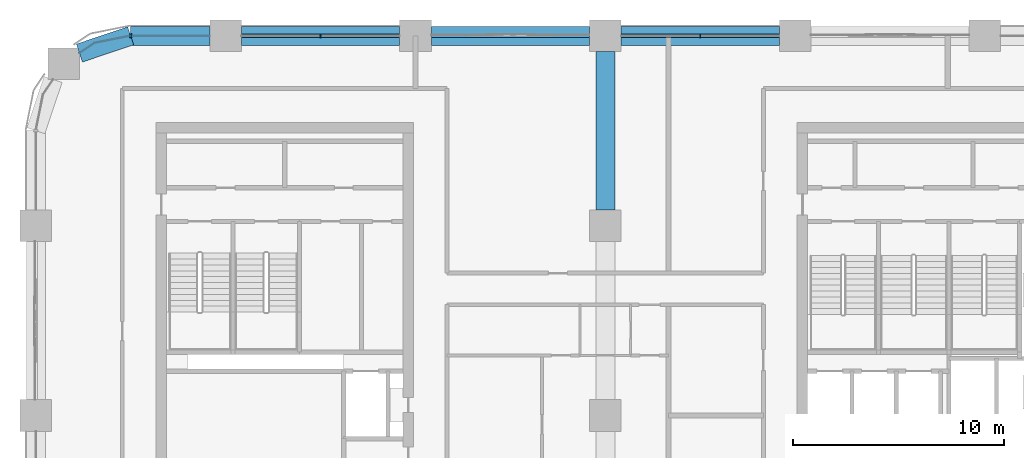
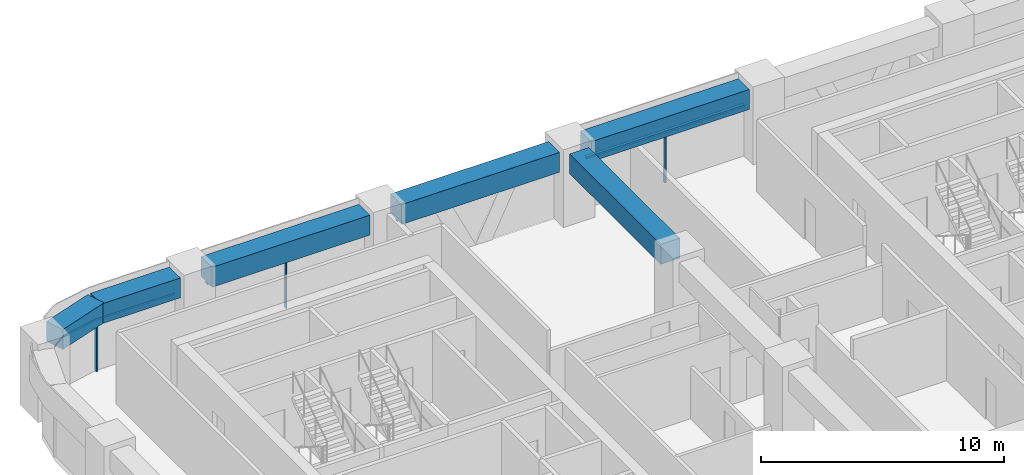
# One storey, part 4 of 13: 7 members, 6 beams, 4 elements without a shape of their own.
"""IFC4 building model written with IfcOpenShell, lengths in metres."""

from ifc_helpers import new_model, si_unit, direction, frame, origin, origin_2d, place, context, subcontext, project, spatial, polyline, rectangle, outline, extrude, material, material_profile, profile_set, type_object, element, aggregate, save


model = new_model("IFC4")

# Units and contexts
model_context = context("Model", 3, precision=1e-05, world=origin(), true_north=direction((0.0, 1.0)))
body_context = subcontext(model_context, "Body", "Model", "MODEL_VIEW")
ifc_project = project(units=[si_unit("LENGTHUNIT", "METRE"), si_unit("AREAUNIT", "SQUARE_METRE"), si_unit("VOLUMEUNIT", "CUBIC_METRE"), si_unit("PLANEANGLEUNIT", "RADIAN"), si_unit("MASSUNIT", "GRAM", prefix="KILO")], contexts=[model_context])

# Site, building, storey
site_placement = place(None, origin())
site = spatial("IfcSite", under=ifc_project, at=site_placement, CompositionType="ELEMENT")
building_placement = place(site_placement, origin())
building = spatial("IfcBuilding", under=site, at=building_placement, Name="Tessera Arch", CompositionType="ELEMENT")
storey_placement = place(building_placement, frame((0.0, 0.0, 158.300048828125)))
storey = spatial("IfcBuildingStorey", under=building, at=storey_placement, Name="L37", CompositionType="ELEMENT", Elevation=158.300048828125)

# Curtain wall, member
ifc_material_1 = material(Name="CW1 curtain wall")
curtain_wall_type_1 = type_object("IfcCurtainWallType", Name="CW1 curtain wall", PredefinedType="NOTDEFINED", material=ifc_material_1)
curtain_wall_1_placement = place(storey_placement, origin())
curtain_wall_1 = element("IfcCurtainWall", 1, at=curtain_wall_1_placement, inside=storey, type_object=curtain_wall_type_1, Name="CW1 curtain wall N54.0/2 L37", PredefinedType="NOTDEFINED")
ifc_material_2 = material(Name="Anodised aluminium pale metal", Category="aluminium")
ifc_material_profile_1 = material_profile(ifc_material_2, rectangle(XDim=0.159912109375, YDim=0.06005859375, at=origin_2d()), Name="AL 60x160")
ifc_profile_set_1 = profile_set([ifc_material_profile_1], Name="Anodised aluminium pale metal")
member_type_1 = type_object("IfcMemberType", Name="CW1 mullion", PredefinedType="MULLION", material=ifc_profile_set_1)
member_1_placement = place(storey_placement, frame((31.5, 54.0, 0.0), z_axis=(0.0, 0.0, 1.0), x_axis=(0.0, -1.0, 0.0)))
member_1 = element("IfcMember", 2, at=member_1_placement, type_object=member_type_1, Name="CW1 mullion N54.0/2 1", PredefinedType="MULLION", context=body_context, shape_type="SweptSolid", body=[
    extrude(rectangle(XDim=0.159912109375, YDim=0.06005859375, at=origin_2d()), origin(), (0.0, 0.0, 1.0), 2.5),
])

curtain_wall_2_placement = place(storey_placement, origin())
curtain_wall_2 = element("IfcCurtainWall", 3, at=curtain_wall_2_placement, inside=storey, type_object=curtain_wall_type_1, Name="CW1 curtain wall N54.0/4 L37", PredefinedType="NOTDEFINED")
member_2_placement = place(storey_placement, frame((13.5, 54.0, 0.0), z_axis=(0.0, 0.0, 1.0), x_axis=(0.0, -1.0, 0.0)))
member_2 = element("IfcMember", 4, at=member_2_placement, type_object=member_type_1, Name="CW1 mullion N54.0/4 1", PredefinedType="MULLION", context=body_context, shape_type="SweptSolid", body=[
    extrude(rectangle(XDim=0.159912109375, YDim=0.06005859375, at=origin_2d()), origin(), (0.0, 0.0, 1.0), 2.5),
])

# Member
ifc_material_3 = material(Name="Anodised aluminium pale metal", Category="aluminium")
ifc_material_profile_2 = material_profile(ifc_material_3, rectangle(XDim=0.159912109375, YDim=0.10009765625, at=origin_2d()), Name="AL 160x100")
ifc_profile_set_2 = profile_set([ifc_material_profile_2], Name="Anodised aluminium pale metal")
member_type_2 = type_object("IfcMemberType", Name="CW1 transom", PredefinedType="USERDEFINED", material=ifc_profile_set_2)
member_3_placement = place(storey_placement, frame((35.25, 54.0, 2.550048828125), z_axis=(-1.0, 0.0, 0.0), x_axis=(0.0, -1.0, 0.0)))
member_3 = element("IfcMember", 5, at=member_3_placement, type_object=member_type_2, Name="CW1 transom N54.0/2 1.1", ObjectType="TRANSOM", PredefinedType="USERDEFINED", context=body_context, shape_type="SweptSolid", body=[
    extrude(rectangle(XDim=0.159912109375, YDim=0.10009765625, at=origin_2d()), origin(), (0.0, 0.0, 1.0), 7.5),
])

aggregate(curtain_wall_1, [member_1, member_3])

member_4_placement = place(storey_placement, frame((17.25, 54.0, 2.550048828125), z_axis=(-1.0, 0.0, 0.0), x_axis=(0.0, -1.0, 0.0)))
member_4 = element("IfcMember", 6, at=member_4_placement, type_object=member_type_2, Name="CW1 transom N54.0/4 1.1", ObjectType="TRANSOM", PredefinedType="USERDEFINED", context=body_context, shape_type="SweptSolid", body=[
    extrude(rectangle(XDim=0.159912109375, YDim=0.10009765625, at=origin_2d()), origin(), (0.0, 0.0, 1.0), 7.5),
])

aggregate(curtain_wall_2, [member_2, member_4])

# Curtain wall, members
ifc_material_4 = material(Name="CW2 curtain wall")
curtain_wall_type_2 = type_object("IfcCurtainWallType", Name="CW2 curtain wall", PredefinedType="NOTDEFINED", material=ifc_material_4)
curtain_wall_3_placement = place(storey_placement, origin())
curtain_wall_3 = element("IfcCurtainWall", 7, at=curtain_wall_3_placement, inside=storey, type_object=curtain_wall_type_2, Name="CW2 curtain wall N54.0/5 L37", PredefinedType="NOTDEFINED")
ifc_material_5 = material(Name="Anodised aluminium pale metal", Category="aluminium")
ifc_material_profile_3 = material_profile(ifc_material_5, rectangle(XDim=0.199951171875, YDim=0.080078125, at=origin_2d()), Name="AL 80x200")
ifc_profile_set_3 = profile_set([ifc_material_profile_3], Name="Anodised aluminium pale metal")
member_type_3 = type_object("IfcMemberType", Name="CW2 mullion", PredefinedType="MULLION", material=ifc_profile_set_3)
member_5_placement = place(storey_placement, frame((4.5, 54.0, 0.0), z_axis=(0.0, 0.0, 1.0), x_axis=(0.0, -1.0, 0.0)))
member_5 = element("IfcMember", 8, at=member_5_placement, type_object=member_type_3, Name="CW2 mullion N54.0/5 1", PredefinedType="MULLION", context=body_context, shape_type="SweptSolid", body=[
    extrude(rectangle(XDim=0.199951171875, YDim=0.080078125, at=origin_2d()), origin(), (0.0, 0.0, 1.0), 2.5),
])
ifc_material_6 = material(Name="Anodised aluminium pale metal", Category="aluminium")
ifc_material_profile_4 = material_profile(ifc_material_6, rectangle(XDim=0.199951171875, YDim=0.10009765625, at=origin_2d()), Name="AL 200x100")
ifc_profile_set_4 = profile_set([ifc_material_profile_4], Name="Anodised aluminium pale metal")
member_type_4 = type_object("IfcMemberType", Name="CW2 transom", PredefinedType="USERDEFINED", material=ifc_profile_set_4)
member_6_placement = place(storey_placement, frame((0.0, 0.0, 2.5)))
member_6 = element("IfcMember", 9, at=member_6_placement, type_object=member_type_4, Name="CW2 transom N54.0/5 1", ObjectType="TRANSOM", PredefinedType="USERDEFINED", context=body_context, shape_type="SweptSolid", body=[
    extrude(outline(polyline([(4.5009765625, 53.989990234375), (8.25, 53.989990234375), (8.25, 54.010009765625), (4.4990234375, 54.010009765625), (2.77392578125, 53.6669921875), (2.0625, 53.19140625), (2.073486328125, 53.1748046875), (2.78173828125, 53.648193359375), (4.5009765625, 53.989990234375)])), origin(), (0.0, 0.0, 1.0), 0.099853515625),
])
aggregate(curtain_wall_3, [member_5, member_6])

# Curtain wall, member
ifc_material_7 = material(Name="CW3 curtain wall")
curtain_wall_type_3 = type_object("IfcCurtainWallType", Name="CW3 curtain wall", PredefinedType="NOTDEFINED", material=ifc_material_7)
curtain_wall_4_placement = place(storey_placement, origin())
curtain_wall_4 = element("IfcCurtainWall", 10, at=curtain_wall_4_placement, inside=storey, type_object=curtain_wall_type_3, Name="CW3 curtain wall N54.0/3 L37", PredefinedType="NOTDEFINED")
ifc_material_8 = material(Name="Anodised aluminium pale metal", Category="aluminium")
ifc_material_profile_5 = material_profile(ifc_material_8, rectangle(XDim=0.139892578125, YDim=0.10009765625, at=origin_2d()), Name="AL 140x100")
ifc_profile_set_5 = profile_set([ifc_material_profile_5], Name="Anodised aluminium pale metal")
member_type_5 = type_object("IfcMemberType", Name="CW3 transom", PredefinedType="USERDEFINED", material=ifc_profile_set_5)
member_7_placement = place(storey_placement, frame((26.25, 54.0, 2.550048828125), z_axis=(-1.0, 0.0, 0.0), x_axis=(0.0, -1.0, 0.0)))
member_7 = element("IfcMember", 11, at=member_7_placement, type_object=member_type_5, Name="CW3 transom N54.0/3 1.1", ObjectType="TRANSOM", PredefinedType="USERDEFINED", context=body_context, shape_type="SweptSolid", body=[
    extrude(rectangle(XDim=0.139892578125, YDim=0.10009765625, at=origin_2d()), origin(), (0.0, 0.0, 1.0), 7.5),
])
aggregate(curtain_wall_4, [member_7])

# Beams
ifc_material_9 = material(Name="Concrete C70/85", Category="concrete")
ifc_material_profile_6 = material_profile(ifc_material_9, rectangle(XDim=0.89990234375, YDim=1.0, at=origin_2d()), Name="RC spandrel beam 900 x 1000 Concrete C70/85")
ifc_profile_set_6 = profile_set([ifc_material_profile_6], Name="Concrete C70/85")
beam_type = type_object("IfcBeamType", Name="RC spandrel beam 900 x 1000 Concrete C70/85", PredefinedType="BEAM", material=ifc_profile_set_6)
for number, where, z_axis, x_axis, name in (
    (12, (35.25, 54.0, 3.099853515625), (-1.0, 0.0, 0.0), (0.0, -1.0, 0.0), "Spandrel beam L37 N54.0/2"),
    (13, (26.25, 54.0, 3.099853515625), (-1.0, 0.0, 0.0), (0.0, -1.0, 0.0), "Spandrel beam L37 N54.0/3"),
    (14, (17.25, 54.0, 3.099853515625), (-1.0, 0.0, 0.0), (0.0, -1.0, 0.0), "Spandrel beam L37 N54.0/4"),
):
    element("IfcBeam", number, at=place(storey_placement, frame(where, z_axis=z_axis, x_axis=x_axis)), inside=storey, type_object=beam_type, Name=name, PredefinedType="BEAM", context=body_context, shape_type="SweptSolid", body=[
        extrude(rectangle(XDim=0.89990234375, YDim=1.0, at=origin_2d()), origin(), (0.0, 0.0, 1.0), 7.5),
    ])
beam_1_placement = place(storey_placement, frame((8.25, 54.0, 3.099853515625), z_axis=(-1.0, 0.0, 0.0), x_axis=(0.0, -1.0, 0.0)))
element("IfcBeam", 15, at=beam_1_placement, inside=storey, type_object=beam_type, Name="Spandrel beam L37 N54.0/5.1", PredefinedType="BEAM", context=body_context, shape_type="SweptSolid", body=[
    extrude(rectangle(XDim=0.89990234375, YDim=1.0, at=origin_2d()), origin(), (0.0, 0.0, 1.0), 3.75),
])
beam_2_placement = place(storey_placement, frame((4.5, 54.0, 3.099853515625), z_axis=(-0.947947973234, -0.31842525032, 0.0), x_axis=(0.31842525032, -0.947947973234, 0.0)))
element("IfcBeam", 16, at=beam_2_placement, inside=storey, type_object=beam_type, Name="Spandrel beam L37 N54.0/5.2", PredefinedType="BEAM", context=body_context, shape_type="SweptSolid", body=[
    extrude(rectangle(XDim=0.89990234375, YDim=1.0, at=origin_2d()), origin(), (0.0, 0.0, 1.0), 2.5654296875),
])
beam_3_placement = place(storey_placement, frame((27.0, 45.75, 3.099853515625), z_axis=(0.0, 1.0, 0.0), x_axis=(-1.0, 0.0, 0.0)))
element("IfcBeam", 17, at=beam_3_placement, inside=storey, type_object=beam_type, Name="Interface beam L37 I0C4F-C4G", PredefinedType="BEAM", context=body_context, shape_type="SweptSolid", body=[
    extrude(rectangle(XDim=0.89990234375, YDim=1.0, at=origin_2d()), origin(), (0.0, 0.0, 1.0), 7.5),
])

save(model, "model.ifc")
